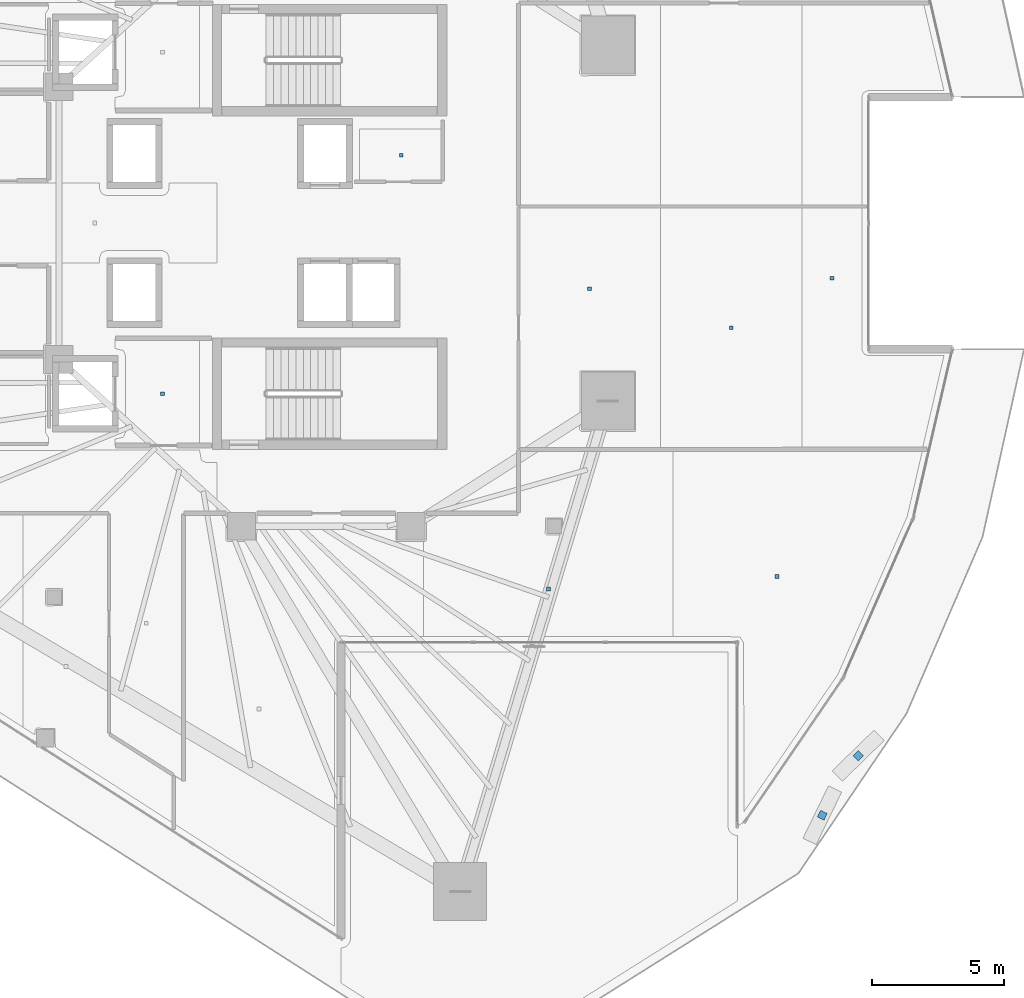
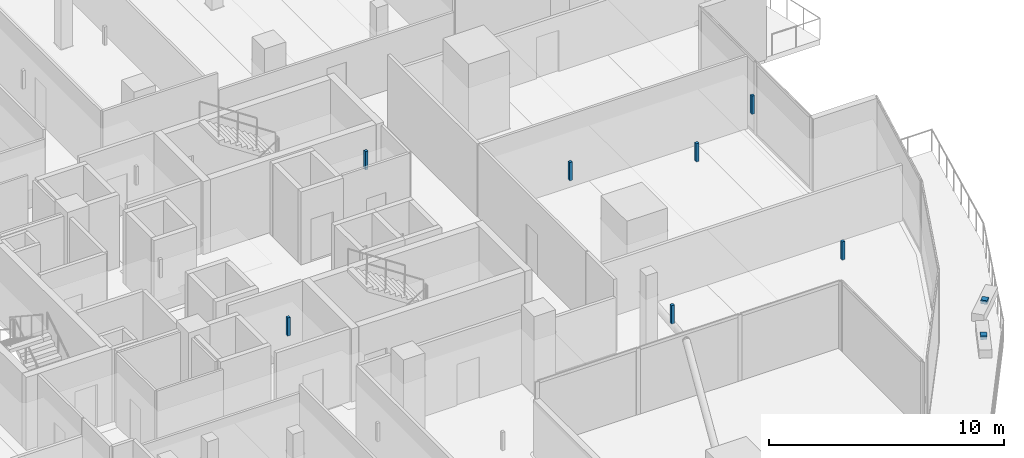
# One storey, part 30 of 38: 9 discrete accessories.
"""IFC4 building model written with IfcOpenShell, lengths in metres."""

from ifc_helpers import new_model, si_unit, direction, frame, origin, origin_2d, place, context, subcontext, project, spatial, rectangle, extrude, material, type_object, element, save


model = new_model("IFC4")

# Units and contexts
model_context = context("Model", 3, precision=1e-05, world=origin(), true_north=direction((0.0, 1.0)))
body_context = subcontext(model_context, "Body", "Model", "MODEL_VIEW")
ifc_project = project(units=[si_unit("LENGTHUNIT", "METRE"), si_unit("AREAUNIT", "SQUARE_METRE"), si_unit("VOLUMEUNIT", "CUBIC_METRE"), si_unit("PLANEANGLEUNIT", "RADIAN"), si_unit("MASSUNIT", "GRAM", prefix="KILO")], contexts=[model_context])

# Site, building, storey
site_placement = place(None, origin())
site = spatial("IfcSite", under=ifc_project, at=site_placement, CompositionType="ELEMENT")
building_placement = place(site_placement, origin())
building = spatial("IfcBuilding", under=site, at=building_placement, Name="Qorvath Tower", CompositionType="ELEMENT")
storey_placement = place(building_placement, frame((0.0, 0.0, 158.39990234375)))
storey = spatial("IfcBuildingStorey", under=building, at=storey_placement, Name="L36", CompositionType="ELEMENT", Elevation=158.39990234375)

# Discrete accessories
ifc_material = material(Name="Galvanised steel bracket", Category="steel")
discrete_accessory_type = type_object("IfcDiscreteAccessoryType", Name="DA-BRACKET", PredefinedType="BRACKET", material=ifc_material)
for number, where, z_axis, x_axis, name in (
    (1, (-1.667724609375, -22.36328125, 3.64013671875), (0.0, 0.0, 1.0), (0.436954074484, 0.899483816859, 0.0), "Louvre Wave Support Bracket L36-03"),
    (2, (-0.313720703125, -20.116455078125, 3.64013671875), (0.0, 0.0, 1.0), (0.716646514405, 0.697436573024, 0.0), "Louvre Wave Support Bracket L36-04"),
):
    element("IfcDiscreteAccessory", number, at=place(storey_placement, frame(where, z_axis=z_axis, x_axis=x_axis)), inside=storey, type_object=discrete_accessory_type, Name=name, PredefinedType="NOTDEFINED", context=body_context, shape_type="SweptSolid", body=[
        extrude(rectangle(XDim=0.280029296875, YDim=0.280029296875, at=origin_2d()), origin(), (0.0, 0.0, 1.0), 0.199951171875),
    ])
for number, where, z_axis, x_axis, name in (
    (3, (-26.590087890625, -6.449951171875, 2.85986328125), (0.0, 0.0, 1.0), (1.0, 0.0, 0.0), "Acoustic Ceiling Suspension Hanger T1-L36-002"),
    (4, (-17.572509765625, 2.5625, 2.85986328125), (0.0, 0.0, 1.0), (1.0, 0.0, 0.0), "Acoustic Ceiling Suspension Hanger T1-L36-003"),
    (5, (-12.012939453125, -13.821533203125, 2.85986328125), (0.0, 0.0, 1.0), (1.0, 0.0, 0.0), "Acoustic Ceiling Suspension Hanger T1-L36-027"),
    (6, (-3.379638671875, -13.349609375, 2.85986328125), (0.0, 0.0, 1.0), (1.0, 0.0, 0.0), "Acoustic Ceiling Suspension Hanger T1-L36-028"),
    (7, (-10.4599609375, -2.477294921875, 2.85986328125), (0.0, 0.0, 1.0), (1.0, 0.0, 0.0), "Acoustic Ceiling Suspension Hanger T1-L36-029"),
    (8, (-5.10595703125, -3.95458984375, 2.85986328125), (0.0, 0.0, 1.0), (1.0, 0.0, 0.0), "Acoustic Ceiling Suspension Hanger T1-L36-030"),
    (9, (-1.3017578125, -2.08837890625, 2.85986328125), (0.0, 0.0, 1.0), (1.0, 0.0, 0.0), "Acoustic Ceiling Suspension Hanger T1-L36-031"),
):
    element("IfcDiscreteAccessory", number, at=place(storey_placement, frame(where, z_axis=z_axis, x_axis=x_axis)), inside=storey, type_object=discrete_accessory_type, Name=name, PredefinedType="NOTDEFINED", context=body_context, shape_type="SweptSolid", body=[
        extrude(rectangle(XDim=0.139892578125, YDim=0.139892578125, at=origin_2d()), origin(), (0.0, 0.0, 1.0), 0.949951171875),
    ])

save(model, "model.ifc")
